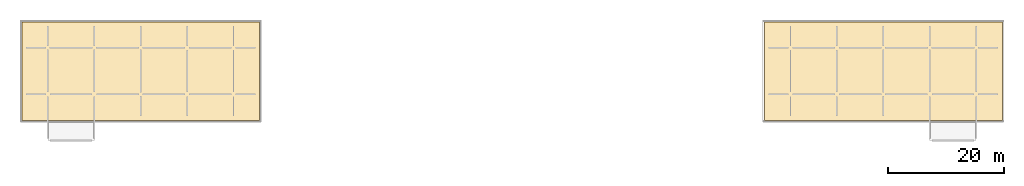
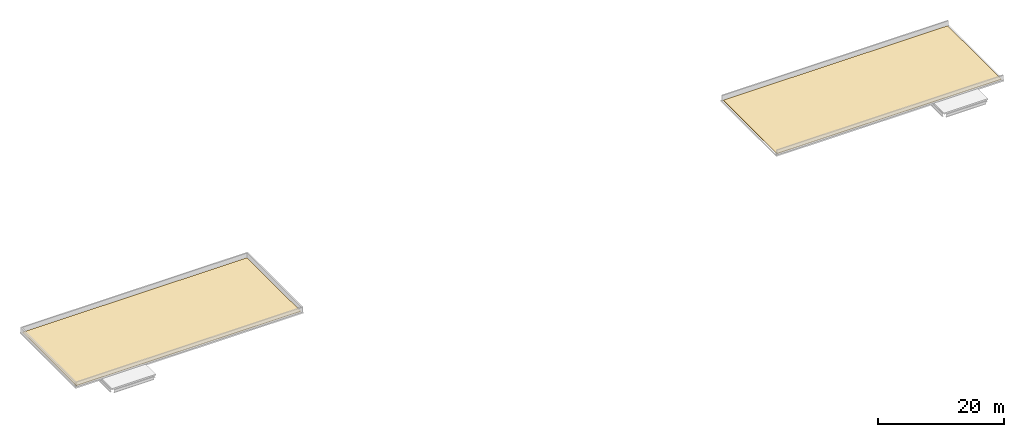
# One storey, part 2 of 2: 2 coverings, 2 elements without a shape of their own.
"""IFC4 building model written with IfcOpenShell, lengths in metres."""

import ifcopenshell
import ifcopenshell.guid

model = None  # the IFC model being written
_history = None  # IfcOwnerHistory: only IFC2X3 demands one
_inside = {}  # id of a spatial element -> (the spatial element, [elements in it])
_under = {}  # id of a project, library or spatial element -> (it, [spatial elements below it])
_declared = {}  # id of a project -> (the project, [libraries it declares])
_typed = {}  # id of a type object -> (the type object, [elements of that type])
_made_of = {}  # id of a material, layer set ... -> (it, [elements and type objects made of it])


def new_model(schema):
    """Start an empty IFC model of exactly this schema.

    Asked for "IFC4X3", IfcOpenShell would pick the latest addendum, in which some entities
    have other attributes; the version numbers below select the first issue.
    IFC2X3 requires an IfcOwnerHistory on every rooted entity: one is made here for all.
    """
    global model, _history
    if schema == "IFC4X3":
        model = ifcopenshell.file(schema_version=(4, 3, 0, 0))
    else:
        model = ifcopenshell.file(schema=schema)
    _inside.clear()
    _under.clear()
    _declared.clear()
    _typed.clear()
    _made_of.clear()
    _history = None
    if model.schema == "IFC2X3":
        org = make("IfcOrganization", Name="unknown")
        user = make(
            "IfcPersonAndOrganization",
            ThePerson=make("IfcPerson", FamilyName="unknown"),
            TheOrganization=org,
        )
        app = make(
            "IfcApplication",
            ApplicationDeveloper=org,
            Version="unknown",
            ApplicationFullName="unknown",
            ApplicationIdentifier="unknown",
        )
        _history = make(
            "IfcOwnerHistory",
            OwningUser=user,
            OwningApplication=app,
            ChangeAction="ADDED",
            CreationDate=0,
        )
    return model


def make(cls, **values):
    """One entity of the class cls with the attributes given. An attribute that is None is left unset."""
    return model.create_entity(
        cls, **{name: value for name, value in values.items() if value is not None}
    )


def rooted(cls, **values):
    """An entity with a GlobalId (a new one), such as an element, a storey or a relation."""
    return make(cls, GlobalId=ifcopenshell.guid.new(), OwnerHistory=_history, **values)


def si_unit(unit_type, name, prefix=None):
    """IfcSIUnit, for example si_unit("LENGTHUNIT", "METRE", prefix="MILLI")."""
    return make("IfcSIUnit", UnitType=unit_type, Prefix=prefix, Name=name)


def derived_unit(unit_type, elements):
    """IfcDerivedUnit: a product of units, each with its exponent."""
    return make(
        "IfcDerivedUnit",
        Elements=[
            make("IfcDerivedUnitElement", Unit=unit, Exponent=power)
            for unit, power in elements
        ],
        UnitType=unit_type,
    )


def assignment(units):
    """IfcUnitAssignment: the units of a project."""
    return None if units is None else make("IfcUnitAssignment", Units=units)


def point(xyz):
    """IfcCartesianPoint."""
    return None if xyz is None else make("IfcCartesianPoint", Coordinates=xyz)


def direction(xyz):
    """IfcDirection."""
    return None if xyz is None else make("IfcDirection", DirectionRatios=xyz)


def frame(location, z_axis=None, x_axis=None):
    """IfcAxis2Placement3D, a coordinate frame: its origin and axes. An axis left out is left unset."""
    return make(
        "IfcAxis2Placement3D",
        Location=point(location),
        Axis=direction(z_axis),
        RefDirection=direction(x_axis),
    )


def origin():
    """The frame at (0, 0, 0) with its axes left unset."""
    return frame((0.0, 0.0, 0.0))


def place(relative_to, where):
    """IfcLocalPlacement: puts the frame where relative to a parent placement (None: the world)."""
    return make(
        "IfcLocalPlacement", PlacementRelTo=relative_to, RelativePlacement=where
    )


def context(
    kind, dimensions, precision=None, world=None, true_north=None, identifier=None
):
    """IfcGeometricRepresentationContext, for example the 3D "Model" context."""
    return make(
        "IfcGeometricRepresentationContext",
        ContextIdentifier=identifier,
        ContextType=kind,
        CoordinateSpaceDimension=dimensions,
        Precision=precision,
        WorldCoordinateSystem=world,
        TrueNorth=true_north,
    )


def subcontext(parent, identifier, kind, view, scale=None):
    """IfcGeometricRepresentationSubContext, for example "Body" below "Model"."""
    return make(
        "IfcGeometricRepresentationSubContext",
        ContextIdentifier=identifier,
        ContextType=kind,
        ParentContext=parent,
        TargetScale=scale,
        TargetView=view,
    )


def project(units=None, contexts=None):
    """IfcProject with its units and contexts."""
    return rooted(
        "IfcProject",
        Name="project",
        RepresentationContexts=contexts,
        UnitsInContext=assignment(units),
    )


def spatial(cls, under=None, at=None, **own):
    """A site, building, storey or space (cls), placed at a placement, below another one or the project."""
    s = rooted(cls, ObjectPlacement=at, **own)
    if under is not None:
        _under.setdefault(under.id(), (under, []))[1].append(s)
    return s


def polyline(points):
    """IfcPolyline through the points."""
    return make("IfcPolyline", Points=[point(p) for p in points])


def outline(outer, holes=None, kind="AREA"):
    """IfcArbitraryClosedProfileDef: a profile drawn as a closed curve; with holes, ...WithVoids."""
    if holes is None:
        return make("IfcArbitraryClosedProfileDef", ProfileType=kind, OuterCurve=outer)
    return make(
        "IfcArbitraryProfileDefWithVoids",
        ProfileType=kind,
        OuterCurve=outer,
        InnerCurves=holes,
    )


def extrude(swept, where, along, depth):
    """IfcExtrudedAreaSolid: the profile swept, set in the frame where, extruded along a direction by depth."""
    return make(
        "IfcExtrudedAreaSolid",
        SweptArea=swept,
        Position=where,
        ExtrudedDirection=direction(along),
        Depth=depth,
    )


def shape(context_of_items, identifier, shape_type, items):
    """IfcShapeRepresentation: the items that make up one representation, for example the "Body"."""
    return make(
        "IfcShapeRepresentation",
        ContextOfItems=context_of_items,
        RepresentationIdentifier=identifier,
        RepresentationType=shape_type,
        Items=items,
    )


def material(Name=None, Category=None):
    """IfcMaterial."""
    return make("IfcMaterial", Name=Name, Category=Category)


def layer(
    of_material, thickness, ventilated=None, Name=None, Category=None, Priority=None
):
    """IfcMaterialLayer: one layer of a wall or slab, of a material (None: an air gap)."""
    return make(
        "IfcMaterialLayer",
        Material=of_material,
        LayerThickness=thickness,
        IsVentilated=ventilated,
        Name=Name,
        Category=Category,
        Priority=Priority,
    )


def layer_set(layers, Name=None):
    """IfcMaterialLayerSet."""
    return make("IfcMaterialLayerSet", MaterialLayers=layers, LayerSetName=Name)


def made_of(thing, what):
    """Note that an element or type object is made of a material, layer set ...; save() writes the relation."""
    if what is not None:
        _made_of.setdefault(what.id(), (what, []))[1].append(thing)
    return thing


def type_object(cls, material=None, **own):
    """A type object (cls), such as IfcWallType, which elements share."""
    return made_of(rooted(cls, **own), material)


def element(
    cls,
    number,
    at=None,
    inside=None,
    cuts=None,
    type_object=None,
    material=None,
    context=None,
    identifier="Body",
    shape_type=None,
    held_by="IfcProductDefinitionShape",
    body=None,
    shapes=None,
    **own,
):
    """One element of the class cls, such as IfcWall. Its Tag is "e" and its number.

    at: its placement. inside: the storey or other place that contains it. cuts: it is an
    opening in that element (IfcRelVoidsElement). A single representation is given by context,
    identifier, shape_type and body (its items); several are given by shapes. held_by: the class
    of the entity that holds the representations. save() writes the other relations.
    """
    e = rooted(cls, Tag="e%d" % number, ObjectPlacement=at, **own)
    if body is not None:
        shapes = [shape(context, identifier, shape_type, body)]
    if shapes is not None:
        e.Representation = make(held_by, Representations=shapes)
    if inside is not None:
        _inside.setdefault(inside.id(), (inside, []))[1].append(e)
    if cuts is not None:
        rooted(
            "IfcRelVoidsElement", RelatingBuildingElement=cuts, RelatedOpeningElement=e
        )
    if type_object is not None:
        _typed.setdefault(type_object.id(), (type_object, []))[1].append(e)
    return made_of(e, material)


def aggregate(whole, parts):
    """IfcRelAggregates: a whole, such as a stair, and the parts it consists of."""
    return rooted("IfcRelAggregates", RelatingObject=whole, RelatedObjects=parts)


def save(model, path):
    """Write the relations noted so far, then the file.

    IfcRelAggregates (storeys below a building ...), IfcRelContainedInSpatialStructure (elements
    in a storey), IfcRelDefinesByType, IfcRelAssociatesMaterial and IfcRelDeclares: one each for
    every whole, place, type object, material and project.
    """
    for whole, parts in _under.values():
        aggregate(whole, parts)
    for where, things in _inside.values():
        rooted(
            "IfcRelContainedInSpatialStructure",
            RelatedElements=things,
            RelatingStructure=where,
        )
    for kind, things in _typed.values():
        rooted("IfcRelDefinesByType", RelatedObjects=things, RelatingType=kind)
    for what, things in _made_of.values():
        rooted("IfcRelAssociatesMaterial", RelatedObjects=things, RelatingMaterial=what)
    for by, libraries in _declared.values():
        rooted("IfcRelDeclares", RelatingContext=by, RelatedDefinitions=libraries)
    model.write(path)


model = new_model("IFC4")

# Units and contexts
model_context = context("Model", 3, precision=1e-05, world=origin(), true_north=direction((0.0, 1.0)))
body_context = subcontext(model_context, "Body", "Model", "MODEL_VIEW")
ifc_project = project(units=[si_unit("LENGTHUNIT", "METRE"), si_unit("AREAUNIT", "SQUARE_METRE"), si_unit("VOLUMEUNIT", "CUBIC_METRE"), si_unit("PLANEANGLEUNIT", "RADIAN"), si_unit("MASSUNIT", "GRAM", prefix="KILO"), derived_unit("THERMALTRANSMITTANCEUNIT", [(si_unit("MASSUNIT", "GRAM", prefix="KILO"), 1), (si_unit("TIMEUNIT", "SECOND"), -3), (si_unit("THERMODYNAMICTEMPERATUREUNIT", "KELVIN"), -1)])], contexts=[model_context])

# Site, building, storey
site_placement = place(None, origin())
site = spatial("IfcSite", under=ifc_project, at=site_placement, CompositionType="ELEMENT")
building_placement = place(site_placement, origin())
building = spatial("IfcBuilding", under=site, at=building_placement, Name="Veyamyaing Civic Hall", CompositionType="ELEMENT")
storey_placement = place(building_placement, frame((0.0, 0.0, 30.030029296875)))
storey = spatial("IfcBuildingStorey", under=building, at=storey_placement, Name="RF", CompositionType="ELEMENT", Elevation=30.030029296875)

# Roof, covering
ifc_material_1 = material(Name="Concrete C40/50", Category="concrete")
roof_type = type_object("IfcRoofType", Name="RF-FLAT", PredefinedType="FLAT_ROOF", material=ifc_material_1)
roof_1_placement = place(storey_placement, origin())
roof_1 = element("IfcRoof", 1, at=roof_1_placement, inside=storey, type_object=roof_type, Name="Northwest Executive Top Roof Assembly", PredefinedType="FLAT_ROOF")
ifc_material_2 = material(Name="Cool-roof insulated membrane waterproofing")
ifc_layer = layer(ifc_material_2, 0.080078125, Name="Cool-roof insulated membrane waterproofing")
ifc_layer_set = layer_set([ifc_layer], Name="Cool-roof insulated membrane waterproofing")
covering_type = type_object("IfcCoveringType", Name="RM-01", PredefinedType="ROOFING", material=ifc_layer_set)
covering_1_placement = place(storey_placement, origin())
covering_1 = element("IfcCovering", 2, at=covering_1_placement, type_object=covering_type, Name="Insulated cool-roof membrane RM-01 RF", PredefinedType="ROOFING", context=body_context, shape_type="SweptSolid", body=[
    extrude(outline(polyline([(3.5, 91.5), (44.5, 91.5), (44.5, 108.5), (3.5, 108.5), (3.5, 91.5)])), origin(), (0.0, 0.0, 1.0), 0.080078125),
])
aggregate(roof_1, [covering_1])

roof_2_placement = place(storey_placement, origin())
roof_2 = element("IfcRoof", 3, at=roof_2_placement, inside=storey, type_object=roof_type, Name="Northeast Executive Top Roof Assembly", PredefinedType="FLAT_ROOF")
covering_2_placement = place(storey_placement, origin())
covering_2 = element("IfcCovering", 4, at=covering_2_placement, type_object=covering_type, Name="Insulated cool-roof membrane RM-01 RF", PredefinedType="ROOFING", context=body_context, shape_type="SweptSolid", body=[
    extrude(outline(polyline([(131.5, 91.5), (172.5, 91.5), (172.5, 108.5), (131.5, 108.5), (131.5, 91.5)])), origin(), (0.0, 0.0, 1.0), 0.080078125),
])
aggregate(roof_2, [covering_2])

save(model, "model.ifc")
